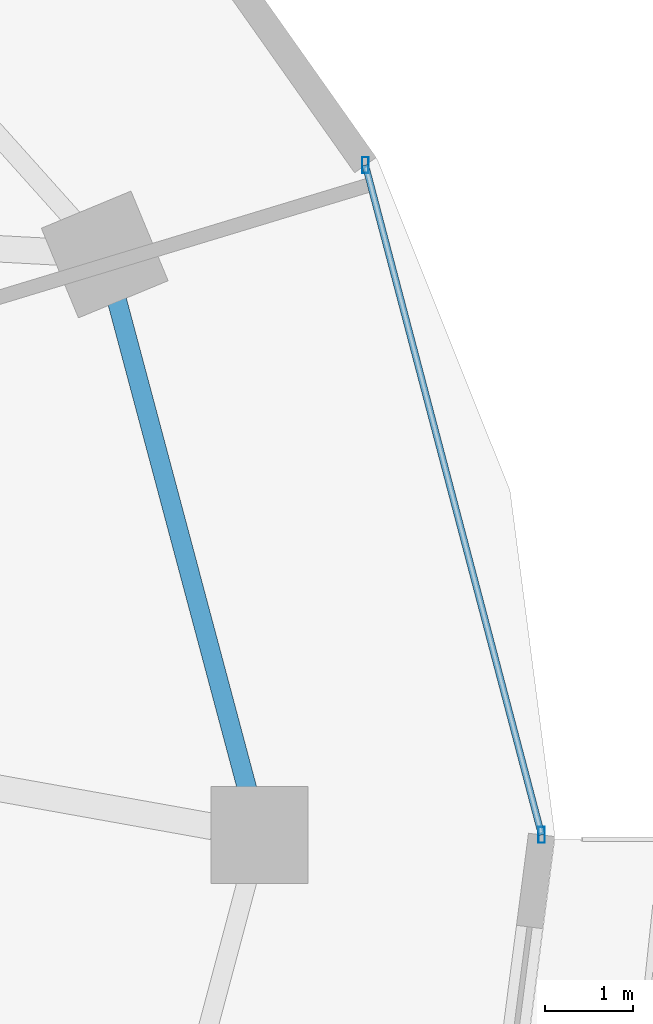
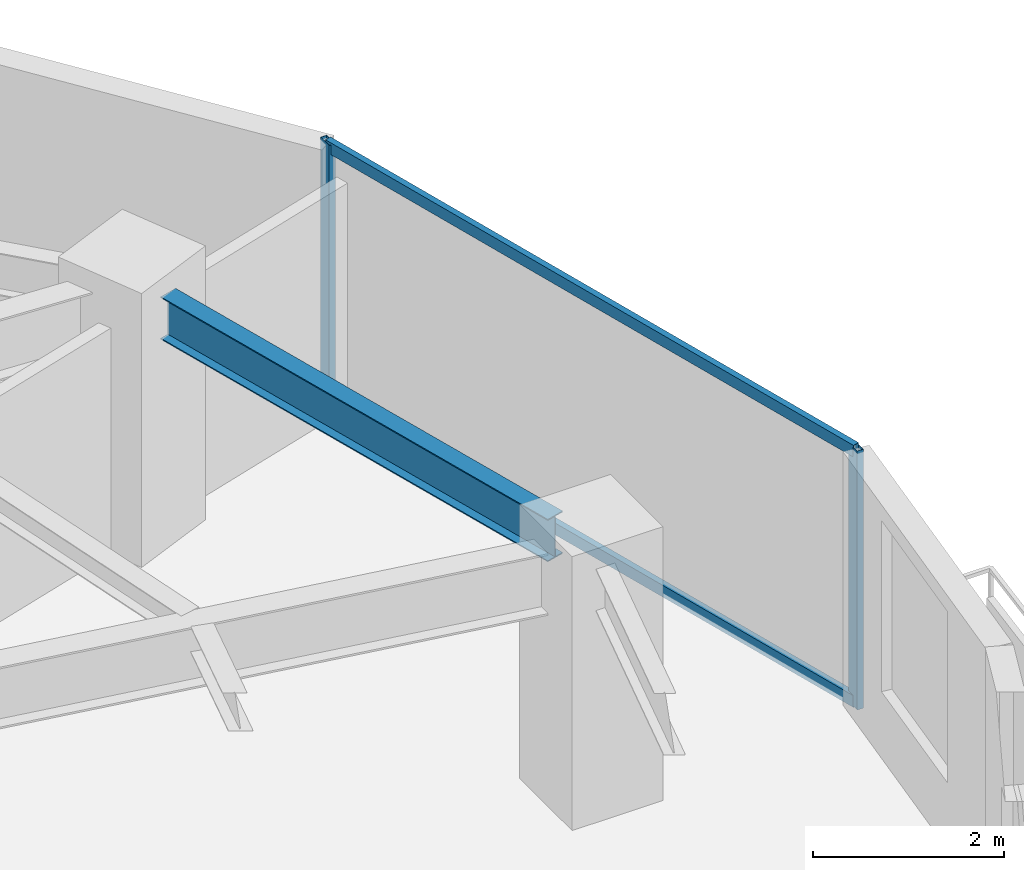
# One storey, part 15 of 29: 4 members, 1 beam, 1 element without a shape of its own.
"""IFC4 building model written with IfcOpenShell, lengths in metres."""

from ifc_helpers import new_model, si_unit, direction, frame, origin, origin_2d, place, context, subcontext, project, spatial, hollow_rectangle, i_section, extrude, material, material_profile, profile_set, type_object, element, aggregate, save


model = new_model("IFC4")

# Units and contexts
model_context = context("Model", 3, precision=1e-05, world=origin(), true_north=direction((0.0, 1.0)))
body_context = subcontext(model_context, "Body", "Model", "MODEL_VIEW")
ifc_project = project(units=[si_unit("LENGTHUNIT", "METRE"), si_unit("AREAUNIT", "SQUARE_METRE"), si_unit("VOLUMEUNIT", "CUBIC_METRE"), si_unit("PLANEANGLEUNIT", "RADIAN"), si_unit("MASSUNIT", "GRAM", prefix="KILO")], contexts=[model_context])

# Site, building, storey
site_placement = place(None, origin())
site = spatial("IfcSite", under=ifc_project, at=site_placement, CompositionType="ELEMENT")
building_placement = place(site_placement, origin())
building = spatial("IfcBuilding", under=site, at=building_placement, Name="Vorneva Point Tower", CompositionType="ELEMENT")
storey_placement = place(building_placement, frame((0.0, 0.0, 110.300048828125)))
storey = spatial("IfcBuildingStorey", under=building, at=storey_placement, Name="L29", CompositionType="ELEMENT", Elevation=110.300048828125)

# Beam
ifc_material_1 = material(Name="Steel S355", Category="steel")
ifc_material_profile_1 = material_profile(ifc_material_1, i_section(OverallWidth=0.219970703125, OverallDepth=0.54296875, WebThickness=0.009521484375, FlangeThickness=0.013427734375, at=origin_2d()), Name="55B1")
ifc_profile_set_1 = profile_set([ifc_material_profile_1], Name="Steel S355")
beam_type = type_object("IfcBeamType", Name="BM-SPN-55B1", PredefinedType="SPANDREL", material=ifc_profile_set_1)
beam_placement = place(storey_placement, frame((60.912109375, 26.516845703125, 2.968505859375), z_axis=(-0.257572674071, 0.966258928845, 0.0), x_axis=(-0.966258928845, -0.257572674071, 0.0)))
element("IfcBeam", 1, at=beam_placement, inside=storey, type_object=beam_type, Name="L29 Perimeter Spandrel Ring Beam 01", PredefinedType="SPANDREL", context=body_context, shape_type="SweptSolid", body=[
    extrude(i_section(OverallWidth=0.219970703125, OverallDepth=0.54296875, WebThickness=0.009521484375, FlangeThickness=0.013427734375, at=origin_2d()), origin(), (0.0, 0.0, 1.0), 5.7421875),
])

# Curtain wall, members
ifc_material_2 = material(Name="Pale anodised aluminium", Category="aluminium")
curtain_wall_type = type_object("IfcCurtainWallType", Name="CW-HTL-SYS", PredefinedType="NOTDEFINED", material=ifc_material_2)
curtain_wall_placement = place(storey_placement, origin())
curtain_wall = element("IfcCurtainWall", 2, at=curtain_wall_placement, inside=storey, type_object=curtain_wall_type, Name="L29 Unitised Curtain Wall CW-L29-R01", PredefinedType="NOTDEFINED")
ifc_material_profile_2 = material_profile(ifc_material_2, hollow_rectangle(XDim=0.074951171875, YDim=0.179931640625, WallThickness=0.00390625, at=origin_2d()), Name="AL-MUL 180x75x4")
ifc_profile_set_2 = profile_set([ifc_material_profile_2], Name="Pale anodised aluminium")
member_type_1 = type_object("IfcMemberType", Name="CW-MUL-180", PredefinedType="MULLION", material=ifc_profile_set_2)
member_1_placement = place(storey_placement, frame((64.25, 26.0, -0.0400390625), z_axis=(0.0, 0.0, 1.0), x_axis=(1.0, 0.0, 0.0)))
member_1 = element("IfcMember", 3, at=member_1_placement, type_object=member_type_1, Name="CW-L29-R01 Mullion 01", PredefinedType="MULLION", context=body_context, shape_type="SweptSolid", body=[
    extrude(hollow_rectangle(XDim=0.074951171875, YDim=0.179931640625, WallThickness=0.00390625, at=origin_2d()), origin(), (0.0, 0.0, 1.0), 3.31005859375),
])
member_2_placement = place(storey_placement, frame((62.251708984375, 33.59619140625, -0.0400390625), z_axis=(0.0, 0.0, 1.0), x_axis=(1.0, 0.0, 0.0)))
member_2 = element("IfcMember", 4, at=member_2_placement, type_object=member_type_1, Name="CW-L29-R01 Mullion 02", PredefinedType="MULLION", context=body_context, shape_type="SweptSolid", body=[
    extrude(hollow_rectangle(XDim=0.074951171875, YDim=0.179931640625, WallThickness=0.00390625, at=origin_2d()), origin(), (0.0, 0.0, 1.0), 3.31005859375),
])
ifc_material_profile_3 = material_profile(ifc_material_2, hollow_rectangle(XDim=0.074951171875, YDim=0.14990234375, WallThickness=0.00390625, at=origin_2d()), Name="AL-TRN 150x75x4")
ifc_profile_set_3 = profile_set([ifc_material_profile_3], Name="Pale anodised aluminium")
member_type_2 = type_object("IfcMemberType", Name="CW-TRN-150", PredefinedType="USERDEFINED", material=ifc_profile_set_3)
member_3_placement = place(storey_placement, frame((64.25, 26.0, 0.02001953125), z_axis=(-0.254409150465, 0.967096677773, 0.0), x_axis=(-0.967096677773, -0.254409150465, 0.0)))
member_3 = element("IfcMember", 5, at=member_3_placement, type_object=member_type_2, Name="CW-L29-R01 Transom 01.1", ObjectType="TRANSOM", PredefinedType="USERDEFINED", context=body_context, shape_type="SweptSolid", body=[
    extrude(hollow_rectangle(XDim=0.074951171875, YDim=0.14990234375, WallThickness=0.00390625, at=origin_2d()), origin(), (0.0, 0.0, 1.0), 7.854736328125),
])
member_4_placement = place(storey_placement, frame((64.25, 26.0, 3.219970703125), z_axis=(-0.254409150465, 0.967096677773, 0.0), x_axis=(-0.967096677773, -0.254409150465, 0.0)))
member_4 = element("IfcMember", 6, at=member_4_placement, type_object=member_type_2, Name="CW-L29-R01 Transom 01.2", ObjectType="TRANSOM", PredefinedType="USERDEFINED", context=body_context, shape_type="SweptSolid", body=[
    extrude(hollow_rectangle(XDim=0.074951171875, YDim=0.14990234375, WallThickness=0.00390625, at=origin_2d()), origin(), (0.0, 0.0, 1.0), 7.854736328125),
])
aggregate(curtain_wall, [member_1, member_2, member_3, member_4])

save(model, "model.ifc")
